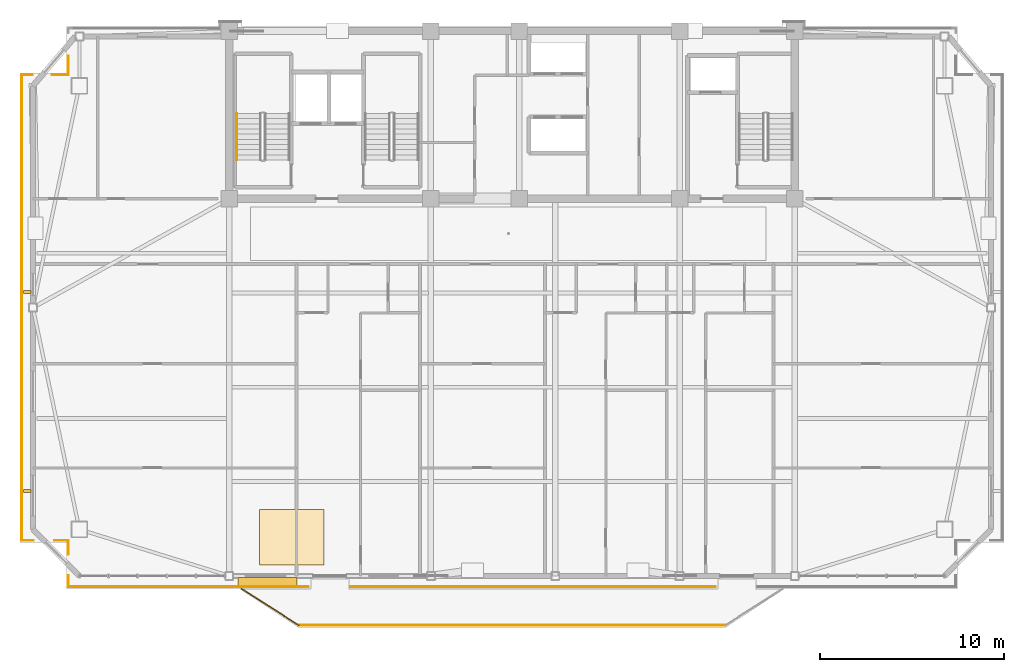
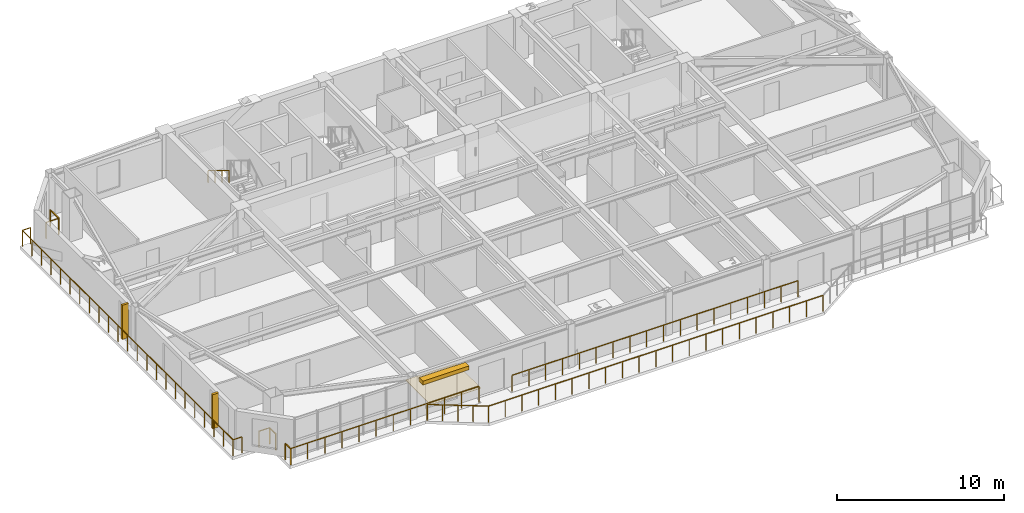
# One storey, part 13 of 17: 13 railings, 3 shading devices, 1 covering.
"""IFC4 building model written with IfcOpenShell, lengths in metres."""

from ifc_helpers import new_model, si_unit, direction, frame, origin, origin_2d, place, context, subcontext, project, spatial, polyline, rectangle, outline, extrude, source, transform, mapped, material, layer, layer_set, type_object, element, save


model = new_model("IFC4")

# Units and contexts
model_context = context("Model", 3, precision=1e-05, world=origin(), true_north=direction((0.0, 1.0)))
body_context = subcontext(model_context, "Body", "Model", "MODEL_VIEW")
ifc_project = project(units=[si_unit("LENGTHUNIT", "METRE"), si_unit("AREAUNIT", "SQUARE_METRE"), si_unit("VOLUMEUNIT", "CUBIC_METRE"), si_unit("PLANEANGLEUNIT", "RADIAN"), si_unit("MASSUNIT", "GRAM", prefix="KILO")], contexts=[model_context])

# Site, building, storey
site_placement = place(None, origin())
site = spatial("IfcSite", under=ifc_project, at=site_placement, CompositionType="ELEMENT")
building_placement = place(site_placement, origin())
building = spatial("IfcBuilding", under=site, at=building_placement, Name="Giltprow Tower", CompositionType="ELEMENT")
storey_placement = place(building_placement, frame((0.0, 0.0, 268.89990234375)))
storey = spatial("IfcBuildingStorey", under=building, at=storey_placement, Name="L69", CompositionType="ELEMENT", Elevation=268.89990234375)

# Covering
ifc_material_1 = material(Name="Engineered oak", Category="wood")
ifc_layer = layer(ifc_material_1, 0.02490234375, Name="Engineered oak")
ifc_layer_set = layer_set([ifc_layer], Name="Engineered oak")
covering_type = type_object("IfcCoveringType", Name="COV-FLR-TIMBER", PredefinedType="FLOORING", material=ifc_layer_set)
covering_placement = place(storey_placement, origin())
element("IfcCovering", 1, at=covering_placement, inside=storey, type_object=covering_type, Name="L69 Residence Oak Parquet Flooring", PredefinedType="FLOORING", context=body_context, shape_type="SweptSolid", body=[
    extrude(outline(polyline([(21.5, 17.575927734375), (25.0, 17.575927734375), (25.0, 20.575927734375), (21.5, 20.575927734375), (21.5, 17.575927734375)])), origin(), (0.0, 0.0, 1.0), 0.025146484375),
])

# Railings
ifc_material_2 = material(Name="Anodized bronze", Category="metal")
railing_type_1 = type_object("IfcRailingType", Name="RAIL-BALC-GUARD-1200", PredefinedType="BALUSTRADE", material=ifc_material_2)
railing_1_placement = place(storey_placement, frame((20.52001953125, 16.27587890625, 0.0)))
element("IfcRailing", 2, at=railing_1_placement, inside=storey, type_object=railing_type_1, Name="L69 Waterfront Balcony Balustrade Seg 1", PredefinedType="BALUSTRADE", context=body_context, shape_type="SweptSolid", body=[
    extrude(rectangle(XDim=0.048095703125, YDim=0.048095703125, at=origin_2d()), frame((0.0, 0.0, 1.17578125), z_axis=(0.84277487735, -0.538266203757, 0.0), x_axis=(0.538266203757, 0.84277487735, 0.0)), (0.0, 0.0, 1.0), 3.678466796875),
    extrude(rectangle(XDim=0.0419921875, YDim=0.0419921875, at=origin_2d()), origin(), (0.0, 0.0, 1.0), 1.15185546875),
    extrude(rectangle(XDim=0.0419921875, YDim=0.0419921875, at=origin_2d()), frame((0.77490234375, -0.4951171875, 0.0)), (0.0, 0.0, 1.0), 1.15185546875),
    extrude(rectangle(XDim=0.0419921875, YDim=0.0419921875, at=origin_2d()), frame((1.550048828125, -0.989990234375, 0.0)), (0.0, 0.0, 1.0), 1.15185546875),
    extrude(rectangle(XDim=0.0419921875, YDim=0.0419921875, at=origin_2d()), frame((2.3251953125, -1.48486328125, 0.0)), (0.0, 0.0, 1.0), 1.15185546875),
    extrude(rectangle(XDim=0.0419921875, YDim=0.0419921875, at=origin_2d()), frame((3.10009765625, -1.97998046875, 0.0)), (0.0, 0.0, 1.0), 1.15185546875),
])
railing_2_placement = place(storey_placement, frame((23.6201171875, 14.2958984375, 0.0)))
element("IfcRailing", 3, at=railing_2_placement, inside=storey, type_object=railing_type_1, Name="L69 Waterfront Balcony Balustrade Seg 2", PredefinedType="BALUSTRADE", context=body_context, shape_type="SweptSolid", body=[
    extrude(rectangle(XDim=0.048095703125, YDim=0.048095703125, at=origin_2d()), frame((0.0, 0.0, 1.17578125), z_axis=(1.0, 0.0, 0.0), x_axis=(0.0, 1.0, 0.0)), (0.0, 0.0, 1.0), 23.159912109375),
    extrude(rectangle(XDim=0.0419921875, YDim=0.0419921875, at=origin_2d()), origin(), (0.0, 0.0, 1.0), 1.15185546875),
    extrude(rectangle(XDim=0.0419921875, YDim=0.0419921875, at=origin_2d()), frame((1.157958984375, 0.0, 0.0)), (0.0, 0.0, 1.0), 1.15185546875),
    extrude(rectangle(XDim=0.0419921875, YDim=0.0419921875, at=origin_2d()), frame((2.31591796875, 0.0, 0.0)), (0.0, 0.0, 1.0), 1.15185546875),
    extrude(rectangle(XDim=0.0419921875, YDim=0.0419921875, at=origin_2d()), frame((3.473876953125, 0.0, 0.0)), (0.0, 0.0, 1.0), 1.15185546875),
    extrude(rectangle(XDim=0.0419921875, YDim=0.0419921875, at=origin_2d()), frame((4.632080078125, 0.0, 0.0)), (0.0, 0.0, 1.0), 1.15185546875),
    extrude(rectangle(XDim=0.0419921875, YDim=0.0419921875, at=origin_2d()), frame((5.7900390625, 0.0, 0.0)), (0.0, 0.0, 1.0), 1.15185546875),
    extrude(rectangle(XDim=0.0419921875, YDim=0.0419921875, at=origin_2d()), frame((6.947998046875, 0.0, 0.0)), (0.0, 0.0, 1.0), 1.15185546875),
    extrude(rectangle(XDim=0.0419921875, YDim=0.0419921875, at=origin_2d()), frame((8.10595703125, 0.0, 0.0)), (0.0, 0.0, 1.0), 1.15185546875),
    extrude(rectangle(XDim=0.0419921875, YDim=0.0419921875, at=origin_2d()), frame((9.263916015625, 0.0, 0.0)), (0.0, 0.0, 1.0), 1.15185546875),
    extrude(rectangle(XDim=0.0419921875, YDim=0.0419921875, at=origin_2d()), frame((10.421875, 0.0, 0.0)), (0.0, 0.0, 1.0), 1.15185546875),
    extrude(rectangle(XDim=0.0419921875, YDim=0.0419921875, at=origin_2d()), frame((11.580078125, 0.0, 0.0)), (0.0, 0.0, 1.0), 1.15185546875),
    extrude(rectangle(XDim=0.0419921875, YDim=0.0419921875, at=origin_2d()), frame((12.738037109375, 0.0, 0.0)), (0.0, 0.0, 1.0), 1.15185546875),
    extrude(rectangle(XDim=0.0419921875, YDim=0.0419921875, at=origin_2d()), frame((13.89599609375, 0.0, 0.0)), (0.0, 0.0, 1.0), 1.15185546875),
    extrude(rectangle(XDim=0.0419921875, YDim=0.0419921875, at=origin_2d()), frame((15.053955078125, 0.0, 0.0)), (0.0, 0.0, 1.0), 1.15185546875),
    extrude(rectangle(XDim=0.0419921875, YDim=0.0419921875, at=origin_2d()), frame((16.2119140625, 0.0, 0.0)), (0.0, 0.0, 1.0), 1.15185546875),
    extrude(rectangle(XDim=0.0419921875, YDim=0.0419921875, at=origin_2d()), frame((17.369873046875, 0.0, 0.0)), (0.0, 0.0, 1.0), 1.15185546875),
    extrude(rectangle(XDim=0.0419921875, YDim=0.0419921875, at=origin_2d()), frame((18.52783203125, 0.0, 0.0)), (0.0, 0.0, 1.0), 1.15185546875),
    extrude(rectangle(XDim=0.0419921875, YDim=0.0419921875, at=origin_2d()), frame((19.68603515625, 0.0, 0.0)), (0.0, 0.0, 1.0), 1.15185546875),
    extrude(rectangle(XDim=0.0419921875, YDim=0.0419921875, at=origin_2d()), frame((20.843994140625, 0.0, 0.0)), (0.0, 0.0, 1.0), 1.15185546875),
    extrude(rectangle(XDim=0.0419921875, YDim=0.0419921875, at=origin_2d()), frame((22.001953125, 0.0, 0.0)), (0.0, 0.0, 1.0), 1.15185546875),
    extrude(rectangle(XDim=0.0419921875, YDim=0.0419921875, at=origin_2d()), frame((23.159912109375, 0.0, 0.0)), (0.0, 0.0, 1.0), 1.15185546875),
])
railing_3_placement = place(storey_placement, frame((46.25, 16.3759765625, 0.0)))
element("IfcRailing", 4, at=railing_3_placement, inside=storey, type_object=railing_type_1, Name="L69 Corner Apron Edge Balustrade 7", PredefinedType="BALUSTRADE", context=body_context, shape_type="SweptSolid", body=[
    extrude(rectangle(XDim=0.048095703125, YDim=0.048095703125, at=origin_2d()), frame((0.0, 0.0, 1.17578125), z_axis=(-1.0, 0.0, 0.0), x_axis=(0.0, -1.0, 0.0)), (0.0, 0.0, 1.0), 19.800048828125),
    extrude(rectangle(XDim=0.0419921875, YDim=0.0419921875, at=origin_2d()), origin(), (0.0, 0.0, 1.0), 1.15185546875),
    extrude(rectangle(XDim=0.0419921875, YDim=0.0419921875, at=origin_2d()), frame((-1.164794921875, 0.0, 0.0)), (0.0, 0.0, 1.0), 1.15185546875),
    extrude(rectangle(XDim=0.0419921875, YDim=0.0419921875, at=origin_2d()), frame((-2.329345703125, 0.0, 0.0)), (0.0, 0.0, 1.0), 1.15185546875),
    extrude(rectangle(XDim=0.0419921875, YDim=0.0419921875, at=origin_2d()), frame((-3.494140625, 0.0, 0.0)), (0.0, 0.0, 1.0), 1.15185546875),
    extrude(rectangle(XDim=0.0419921875, YDim=0.0419921875, at=origin_2d()), frame((-4.658935546875, 0.0, 0.0)), (0.0, 0.0, 1.0), 1.15185546875),
    extrude(rectangle(XDim=0.0419921875, YDim=0.0419921875, at=origin_2d()), frame((-5.823486328125, 0.0, 0.0)), (0.0, 0.0, 1.0), 1.15185546875),
    extrude(rectangle(XDim=0.0419921875, YDim=0.0419921875, at=origin_2d()), frame((-6.98828125, 0.0, 0.0)), (0.0, 0.0, 1.0), 1.15185546875),
    extrude(rectangle(XDim=0.0419921875, YDim=0.0419921875, at=origin_2d()), frame((-8.153076171875, 0.0, 0.0)), (0.0, 0.0, 1.0), 1.15185546875),
    extrude(rectangle(XDim=0.0419921875, YDim=0.0419921875, at=origin_2d()), frame((-9.317626953125, 0.0, 0.0)), (0.0, 0.0, 1.0), 1.15185546875),
    extrude(rectangle(XDim=0.0419921875, YDim=0.0419921875, at=origin_2d()), frame((-10.482421875, 0.0, 0.0)), (0.0, 0.0, 1.0), 1.15185546875),
    extrude(rectangle(XDim=0.0419921875, YDim=0.0419921875, at=origin_2d()), frame((-11.64697265625, 0.0, 0.0)), (0.0, 0.0, 1.0), 1.15185546875),
    extrude(rectangle(XDim=0.0419921875, YDim=0.0419921875, at=origin_2d()), frame((-12.811767578125, 0.0, 0.0)), (0.0, 0.0, 1.0), 1.15185546875),
    extrude(rectangle(XDim=0.0419921875, YDim=0.0419921875, at=origin_2d()), frame((-13.9765625, 0.0, 0.0)), (0.0, 0.0, 1.0), 1.15185546875),
    extrude(rectangle(XDim=0.0419921875, YDim=0.0419921875, at=origin_2d()), frame((-15.14111328125, 0.0, 0.0)), (0.0, 0.0, 1.0), 1.15185546875),
    extrude(rectangle(XDim=0.0419921875, YDim=0.0419921875, at=origin_2d()), frame((-16.305908203125, 0.0, 0.0)), (0.0, 0.0, 1.0), 1.15185546875),
    extrude(rectangle(XDim=0.0419921875, YDim=0.0419921875, at=origin_2d()), frame((-17.470703125, 0.0, 0.0)), (0.0, 0.0, 1.0), 1.15185546875),
    extrude(rectangle(XDim=0.0419921875, YDim=0.0419921875, at=origin_2d()), frame((-18.63525390625, 0.0, 0.0)), (0.0, 0.0, 1.0), 1.15185546875),
    extrude(rectangle(XDim=0.0419921875, YDim=0.0419921875, at=origin_2d()), frame((-19.800048828125, 0.0, 0.0)), (0.0, 0.0, 1.0), 1.15185546875),
])
railing_4_placement = place(storey_placement, frame((24.14990234375, 16.3759765625, 0.0)))
element("IfcRailing", 5, at=railing_4_placement, inside=storey, type_object=railing_type_1, Name="L69 Corner Apron Edge Balustrade 8", PredefinedType="BALUSTRADE", context=body_context, shape_type="SweptSolid", body=[
    extrude(rectangle(XDim=0.048095703125, YDim=0.048095703125, at=origin_2d()), frame((0.0, 0.0, 1.17578125), z_axis=(-1.0, 0.0, 0.0), x_axis=(0.0, -1.0, 0.0)), (0.0, 0.0, 1.0), 13.032958984375),
    extrude(rectangle(XDim=0.0419921875, YDim=0.0419921875, at=origin_2d()), origin(), (0.0, 0.0, 1.0), 1.15185546875),
    extrude(rectangle(XDim=0.0419921875, YDim=0.0419921875, at=origin_2d()), frame((-1.184814453125, 0.0, 0.0)), (0.0, 0.0, 1.0), 1.15185546875),
    extrude(rectangle(XDim=0.0419921875, YDim=0.0419921875, at=origin_2d()), frame((-2.36962890625, 0.0, 0.0)), (0.0, 0.0, 1.0), 1.15185546875),
    extrude(rectangle(XDim=0.0419921875, YDim=0.0419921875, at=origin_2d()), frame((-3.554443359375, 0.0, 0.0)), (0.0, 0.0, 1.0), 1.15185546875),
    extrude(rectangle(XDim=0.0419921875, YDim=0.0419921875, at=origin_2d()), frame((-4.7392578125, 0.0, 0.0)), (0.0, 0.0, 1.0), 1.15185546875),
    extrude(rectangle(XDim=0.0419921875, YDim=0.0419921875, at=origin_2d()), frame((-5.924072265625, 0.0, 0.0)), (0.0, 0.0, 1.0), 1.15185546875),
    extrude(rectangle(XDim=0.0419921875, YDim=0.0419921875, at=origin_2d()), frame((-7.10888671875, 0.0, 0.0)), (0.0, 0.0, 1.0), 1.15185546875),
    extrude(rectangle(XDim=0.0419921875, YDim=0.0419921875, at=origin_2d()), frame((-8.293701171875, 0.0, 0.0)), (0.0, 0.0, 1.0), 1.15185546875),
    extrude(rectangle(XDim=0.0419921875, YDim=0.0419921875, at=origin_2d()), frame((-9.478515625, 0.0, 0.0)), (0.0, 0.0, 1.0), 1.15185546875),
    extrude(rectangle(XDim=0.0419921875, YDim=0.0419921875, at=origin_2d()), frame((-10.663330078125, 0.0, 0.0)), (0.0, 0.0, 1.0), 1.15185546875),
    extrude(rectangle(XDim=0.0419921875, YDim=0.0419921875, at=origin_2d()), frame((-11.84814453125, 0.0, 0.0)), (0.0, 0.0, 1.0), 1.15185546875),
    extrude(rectangle(XDim=0.0419921875, YDim=0.0419921875, at=origin_2d()), frame((-13.032958984375, 0.0, 0.0)), (0.0, 0.0, 1.0), 1.15185546875),
])
railing_5_placement = place(storey_placement, frame((11.116943359375, 16.3759765625, 0.0)))
element("IfcRailing", 6, at=railing_5_placement, inside=storey, type_object=railing_type_1, Name="L69 Corner Apron Edge Balustrade 9", PredefinedType="BALUSTRADE", context=body_context, shape_type="SweptSolid", body=[
    extrude(rectangle(XDim=0.048095703125, YDim=0.048095703125, at=origin_2d()), frame((0.0, 0.0, 1.17578125), z_axis=(0.0, 1.0, 0.0), x_axis=(-1.0, 0.0, 0.0)), (0.0, 0.0, 1.0), 0.6201171875),
    extrude(rectangle(XDim=0.0419921875, YDim=0.0419921875, at=origin_2d()), origin(), (0.0, 0.0, 1.0), 1.15185546875),
    extrude(rectangle(XDim=0.0419921875, YDim=0.0419921875, at=origin_2d()), frame((0.0, 0.6201171875, 0.0)), (0.0, 0.0, 1.0), 1.15185546875),
])
railing_6_placement = place(storey_placement, frame((11.116943359375, 18.156005859375, 0.0)))
element("IfcRailing", 7, at=railing_6_placement, inside=storey, type_object=railing_type_1, Name="L69 Corner Apron Edge Balustrade 10", PredefinedType="BALUSTRADE", context=body_context, shape_type="SweptSolid", body=[
    extrude(rectangle(XDim=0.048095703125, YDim=0.048095703125, at=origin_2d()), frame((0.0, 0.0, 1.17578125), z_axis=(0.0, 1.0, 0.0), x_axis=(-1.0, 0.0, 0.0)), (0.0, 0.0, 1.0), 0.742919921875),
    extrude(rectangle(XDim=0.0419921875, YDim=0.0419921875, at=origin_2d()), origin(), (0.0, 0.0, 1.0), 1.15185546875),
    extrude(rectangle(XDim=0.0419921875, YDim=0.0419921875, at=origin_2d()), frame((0.0, 0.742919921875, 0.0)), (0.0, 0.0, 1.0), 1.15185546875),
])
railing_7_placement = place(storey_placement, frame((11.116943359375, 18.89892578125, 0.0)))
element("IfcRailing", 8, at=railing_7_placement, inside=storey, type_object=railing_type_1, Name="L69 Corner Apron Edge Balustrade 11", PredefinedType="BALUSTRADE", context=body_context, shape_type="SweptSolid", body=[
    extrude(rectangle(XDim=0.048095703125, YDim=0.048095703125, at=origin_2d()), frame((0.0, 0.0, 1.17578125), z_axis=(-1.0, 0.0, 0.0), x_axis=(0.0, -1.0, 0.0)), (0.0, 0.0, 1.0), 0.742919921875),
    extrude(rectangle(XDim=0.0419921875, YDim=0.0419921875, at=origin_2d()), origin(), (0.0, 0.0, 1.0), 1.15185546875),
    extrude(rectangle(XDim=0.0419921875, YDim=0.0419921875, at=origin_2d()), frame((-0.742919921875, 0.0, 0.0)), (0.0, 0.0, 1.0), 1.15185546875),
])
railing_8_placement = place(storey_placement, frame((9.214111328125, 18.89892578125, 0.0)))
element("IfcRailing", 9, at=railing_8_placement, inside=storey, type_object=railing_type_1, Name="L69 Corner Apron Edge Balustrade 12", PredefinedType="BALUSTRADE", context=body_context, shape_type="SweptSolid", body=[
    extrude(rectangle(XDim=0.048095703125, YDim=0.048095703125, at=origin_2d()), frame((0.0, 0.0, 1.17578125), z_axis=(-1.0, 0.0, 0.0), x_axis=(0.0, -1.0, 0.0)), (0.0, 0.0, 1.0), 0.6201171875),
    extrude(rectangle(XDim=0.0419921875, YDim=0.0419921875, at=origin_2d()), origin(), (0.0, 0.0, 1.0), 1.15185546875),
    extrude(rectangle(XDim=0.0419921875, YDim=0.0419921875, at=origin_2d()), frame((-0.6201171875, 0.0, 0.0)), (0.0, 0.0, 1.0), 1.15185546875),
])
railing_9_placement = place(storey_placement, frame((8.593994140625, 18.89892578125, 0.0)))
element("IfcRailing", 10, at=railing_9_placement, inside=storey, type_object=railing_type_1, Name="L69 Corner Apron Edge Balustrade 13", PredefinedType="BALUSTRADE", context=body_context, shape_type="SweptSolid", body=[
    extrude(rectangle(XDim=0.048095703125, YDim=0.048095703125, at=origin_2d()), frame((0.0, 0.0, 1.17578125), z_axis=(0.0, 1.0, 0.0), x_axis=(-1.0, 0.0, 0.0)), (0.0, 0.0, 1.0), 25.277099609375),
    extrude(rectangle(XDim=0.0419921875, YDim=0.0419921875, at=origin_2d()), origin(), (0.0, 0.0, 1.0), 1.15185546875),
    extrude(rectangle(XDim=0.0419921875, YDim=0.0419921875, at=origin_2d()), frame((0.0, 1.14892578125, 0.0)), (0.0, 0.0, 1.0), 1.15185546875),
    extrude(rectangle(XDim=0.0419921875, YDim=0.0419921875, at=origin_2d()), frame((0.0, 2.2978515625, 0.0)), (0.0, 0.0, 1.0), 1.15185546875),
    extrude(rectangle(XDim=0.0419921875, YDim=0.0419921875, at=origin_2d()), frame((0.0, 3.44677734375, 0.0)), (0.0, 0.0, 1.0), 1.15185546875),
    extrude(rectangle(XDim=0.0419921875, YDim=0.0419921875, at=origin_2d()), frame((0.0, 4.595947265625, 0.0)), (0.0, 0.0, 1.0), 1.15185546875),
    extrude(rectangle(XDim=0.0419921875, YDim=0.0419921875, at=origin_2d()), frame((0.0, 5.744873046875, 0.0)), (0.0, 0.0, 1.0), 1.15185546875),
    extrude(rectangle(XDim=0.0419921875, YDim=0.0419921875, at=origin_2d()), frame((0.0, 6.893798828125, 0.0)), (0.0, 0.0, 1.0), 1.15185546875),
    extrude(rectangle(XDim=0.0419921875, YDim=0.0419921875, at=origin_2d()), frame((0.0, 8.042724609375, 0.0)), (0.0, 0.0, 1.0), 1.15185546875),
    extrude(rectangle(XDim=0.0419921875, YDim=0.0419921875, at=origin_2d()), frame((0.0, 9.191650390625, 0.0)), (0.0, 0.0, 1.0), 1.15185546875),
    extrude(rectangle(XDim=0.0419921875, YDim=0.0419921875, at=origin_2d()), frame((0.0, 10.340576171875, 0.0)), (0.0, 0.0, 1.0), 1.15185546875),
    extrude(rectangle(XDim=0.0419921875, YDim=0.0419921875, at=origin_2d()), frame((0.0, 11.489501953125, 0.0)), (0.0, 0.0, 1.0), 1.15185546875),
    extrude(rectangle(XDim=0.0419921875, YDim=0.0419921875, at=origin_2d()), frame((0.0, 12.638671875, 0.0)), (0.0, 0.0, 1.0), 1.15185546875),
    extrude(rectangle(XDim=0.0419921875, YDim=0.0419921875, at=origin_2d()), frame((0.0, 13.78759765625, 0.0)), (0.0, 0.0, 1.0), 1.15185546875),
    extrude(rectangle(XDim=0.0419921875, YDim=0.0419921875, at=origin_2d()), frame((0.0, 14.9365234375, 0.0)), (0.0, 0.0, 1.0), 1.15185546875),
    extrude(rectangle(XDim=0.0419921875, YDim=0.0419921875, at=origin_2d()), frame((0.0, 16.08544921875, 0.0)), (0.0, 0.0, 1.0), 1.15185546875),
    extrude(rectangle(XDim=0.0419921875, YDim=0.0419921875, at=origin_2d()), frame((0.0, 17.234375, 0.0)), (0.0, 0.0, 1.0), 1.15185546875),
    extrude(rectangle(XDim=0.0419921875, YDim=0.0419921875, at=origin_2d()), frame((0.0, 18.38330078125, 0.0)), (0.0, 0.0, 1.0), 1.15185546875),
    extrude(rectangle(XDim=0.0419921875, YDim=0.0419921875, at=origin_2d()), frame((0.0, 19.5322265625, 0.0)), (0.0, 0.0, 1.0), 1.15185546875),
    extrude(rectangle(XDim=0.0419921875, YDim=0.0419921875, at=origin_2d()), frame((0.0, 20.68115234375, 0.0)), (0.0, 0.0, 1.0), 1.15185546875),
    extrude(rectangle(XDim=0.0419921875, YDim=0.0419921875, at=origin_2d()), frame((0.0, 21.830322265625, 0.0)), (0.0, 0.0, 1.0), 1.15185546875),
    extrude(rectangle(XDim=0.0419921875, YDim=0.0419921875, at=origin_2d()), frame((0.0, 22.979248046875, 0.0)), (0.0, 0.0, 1.0), 1.15185546875),
    extrude(rectangle(XDim=0.0419921875, YDim=0.0419921875, at=origin_2d()), frame((0.0, 24.128173828125, 0.0)), (0.0, 0.0, 1.0), 1.15185546875),
    extrude(rectangle(XDim=0.0419921875, YDim=0.0419921875, at=origin_2d()), frame((0.0, 25.277099609375, 0.0)), (0.0, 0.0, 1.0), 1.15185546875),
])
railing_10_placement = place(storey_placement, frame((8.593994140625, 44.176025390625, 0.0)))
element("IfcRailing", 11, at=railing_10_placement, inside=storey, type_object=railing_type_1, Name="L69 Corner Apron Edge Balustrade 14", PredefinedType="BALUSTRADE", context=body_context, shape_type="SweptSolid", body=[
    extrude(rectangle(XDim=0.048095703125, YDim=0.048095703125, at=origin_2d()), frame((0.0, 0.0, 1.17578125), z_axis=(1.0, 0.0, 0.0), x_axis=(0.0, 1.0, 0.0)), (0.0, 0.0, 1.0), 0.573974609375),
    extrude(rectangle(XDim=0.0419921875, YDim=0.0419921875, at=origin_2d()), origin(), (0.0, 0.0, 1.0), 1.15185546875),
    extrude(rectangle(XDim=0.0419921875, YDim=0.0419921875, at=origin_2d()), frame((0.573974609375, 0.0, 0.0)), (0.0, 0.0, 1.0), 1.15185546875),
])
railing_11_placement = place(storey_placement, frame((10.25, 44.176025390625, 0.0)))
element("IfcRailing", 12, at=railing_11_placement, inside=storey, type_object=railing_type_1, Name="L69 Corner Apron Edge Balustrade 15", PredefinedType="BALUSTRADE", context=body_context, shape_type="SweptSolid", body=[
    extrude(rectangle(XDim=0.048095703125, YDim=0.048095703125, at=origin_2d()), frame((0.0, 0.0, 1.17578125), z_axis=(1.0, 0.0, 0.0), x_axis=(0.0, 1.0, 0.0)), (0.0, 0.0, 1.0), 0.866943359375),
    extrude(rectangle(XDim=0.0419921875, YDim=0.0419921875, at=origin_2d()), origin(), (0.0, 0.0, 1.0), 1.15185546875),
    extrude(rectangle(XDim=0.0419921875, YDim=0.0419921875, at=origin_2d()), frame((0.866943359375, 0.0, 0.0)), (0.0, 0.0, 1.0), 1.15185546875),
])
railing_12_placement = place(storey_placement, frame((11.116943359375, 44.176025390625, 0.0)))
element("IfcRailing", 13, at=railing_12_placement, inside=storey, type_object=railing_type_1, Name="L69 Corner Apron Edge Balustrade 16", PredefinedType="BALUSTRADE", context=body_context, shape_type="SweptSolid", body=[
    extrude(rectangle(XDim=0.048095703125, YDim=0.048095703125, at=origin_2d()), frame((0.0, 0.0, 1.17578125), z_axis=(0.0, 1.0, 0.0), x_axis=(-1.0, 0.0, 0.0)), (0.0, 0.0, 1.0), 1.009033203125),
    extrude(rectangle(XDim=0.0419921875, YDim=0.0419921875, at=origin_2d()), origin(), (0.0, 0.0, 1.0), 1.15185546875),
    extrude(rectangle(XDim=0.0419921875, YDim=0.0419921875, at=origin_2d()), frame((0.0, 1.009033203125, 0.0)), (0.0, 0.0, 1.0), 1.15185546875),
])
railing_type_2 = type_object("IfcRailingType", Name="RAIL-STAIR-HAND-900", PredefinedType="HANDRAIL", material=ifc_material_2)
railing_13_placement = place(storey_placement, frame((20.25, 42.070068359375, 1.8701171875)))
element("IfcRailing", 14, at=railing_13_placement, inside=storey, type_object=railing_type_2, Name="L69 ST-1 stair handrail 2", PredefinedType="HANDRAIL", context=body_context, shape_type="SweptSolid", body=[
    extrude(rectangle(XDim=0.048095703125, YDim=0.048095703125, at=origin_2d()), frame((0.0, 0.0, 0.8759765625), z_axis=(0.0, -0.85478489116, 0.518982456201), x_axis=(1.0, 0.0, 0.0)), (0.0, 0.0, 1.0), 2.9482421875),
    extrude(rectangle(XDim=0.0419921875, YDim=0.0419921875, at=origin_2d()), origin(), (0.0, 0.0, 1.0), 0.851806640625),
    extrude(rectangle(XDim=0.0419921875, YDim=0.0419921875, at=origin_2d()), frame((0.0, -0.840087890625, 0.510009765625)), (0.0, 0.0, 1.0), 0.851806640625),
    extrude(rectangle(XDim=0.0419921875, YDim=0.0419921875, at=origin_2d()), frame((0.0, -1.679931640625, 1.02001953125)), (0.0, 0.0, 1.0), 0.851806640625),
    extrude(rectangle(XDim=0.0419921875, YDim=0.0419921875, at=origin_2d()), frame((0.0, -2.52001953125, 1.530029296875)), (0.0, 0.0, 1.0), 0.851806640625),
])

# Shading devices
shading_device_type_1 = type_object("IfcShadingDeviceType", Name="SHD-FIN-420", PredefinedType="USERDEFINED", material=ifc_material_2)
shared_shape_1 = source(origin(), body_context, "Body", "SweptSolid", [
    extrude(rectangle(XDim=0.419921875, YDim=0.159912109375, at=origin_2d()), origin(), (0.0, 0.0, 1.0), 2.5),
])
for number, where, z_axis, x_axis, name in (
    (15, (8.89404296875, 21.591064453125, 0.35009765625), (0.0, 0.0, 1.0), (1.0, 0.0, 0.0), "L69 W Bronze Vertical Fin 1-1"),
    (16, (8.89404296875, 32.385009765625, 0.35009765625), (0.0, 0.0, 1.0), (1.0, 0.0, 0.0), "L69 W Bronze Vertical Fin 2-1"),
):
    element("IfcShadingDevice", number, at=place(storey_placement, frame(where, z_axis=z_axis, x_axis=x_axis)), inside=storey, type_object=shading_device_type_1, Name=name, ObjectType="FIN", PredefinedType="USERDEFINED", context=body_context, shape_type="MappedRepresentation", body=[
        mapped(shared_shape_1, transform((0.0, 0.0, 0.0), x_axis=(1.0, 0.0, 0.0), y_axis=(0.0, 1.0, 0.0), z_axis=(0.0, 0.0, 1.0), scale=1.0)),
    ])
shading_device_type_2 = type_object("IfcShadingDeviceType", Name="SHD-LOUVRE-320", PredefinedType="JALOUSIE", material=ifc_material_2)
shared_shape_2 = source(origin(), body_context, "Body", "SweptSolid", [
    extrude(rectangle(XDim=3.199951171875, YDim=0.449951171875, at=origin_2d()), origin(), (0.0, 0.0, 1.0), 0.280029296875),
])
shading_device_placement = place(storey_placement, frame((21.925048828125, 16.676025390625, 2.56005859375), z_axis=(0.0, 0.0, 1.0), x_axis=(1.0, 0.0, 0.0)))
element("IfcShadingDevice", 17, at=shading_device_placement, inside=storey, type_object=shading_device_type_2, Name="L69 Bronze Sunshade Louvre S-2", PredefinedType="JALOUSIE", context=body_context, shape_type="MappedRepresentation", body=[
    mapped(shared_shape_2, transform((0.0, 0.0, 0.0), x_axis=(1.0, 0.0, 0.0), y_axis=(0.0, 1.0, 0.0), z_axis=(0.0, 0.0, 1.0), scale=1.0)),
])

save(model, "model.ifc")
